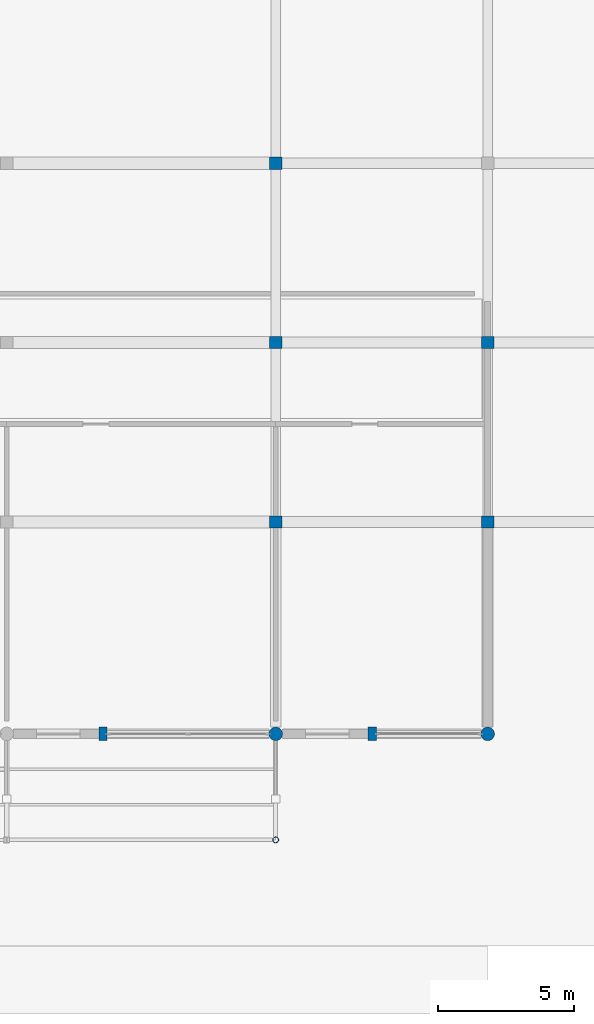
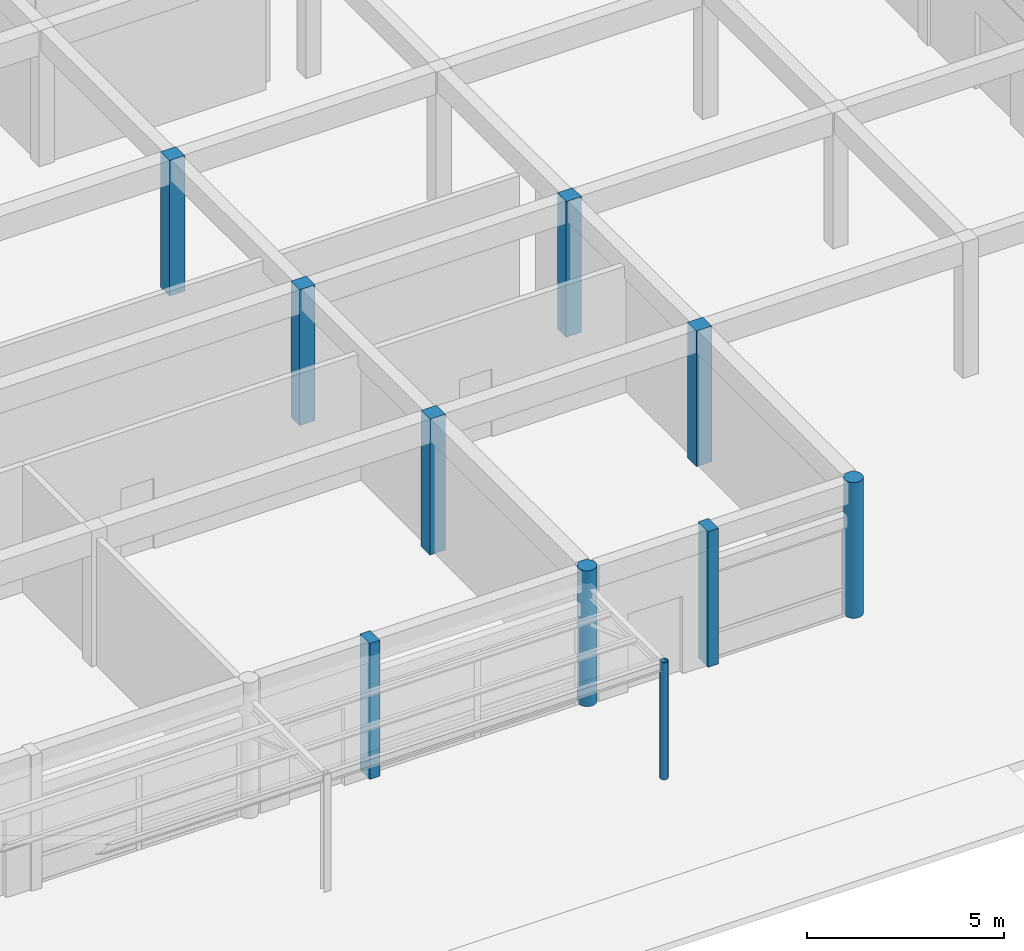
# One storey, part 5 of 75: 10 columns.
"""IFC4 building model written with IfcOpenShell, lengths in metres."""

from ifc_helpers import new_model, si_unit, direction, frame, origin, origin_2d, place, context, subcontext, project, spatial, rectangle, circle, hollow_circle, extrude, material, material_profile, profile_set, type_object, element, save


model = new_model("IFC4")

# Units and contexts
model_context = context("Model", 3, precision=1e-05, world=origin(), true_north=direction((0.0, 1.0)))
body_context = subcontext(model_context, "Body", "Model", "MODEL_VIEW")
ifc_project = project(units=[si_unit("LENGTHUNIT", "METRE"), si_unit("AREAUNIT", "SQUARE_METRE"), si_unit("VOLUMEUNIT", "CUBIC_METRE"), si_unit("PLANEANGLEUNIT", "RADIAN"), si_unit("MASSUNIT", "GRAM", prefix="KILO")], contexts=[model_context])

# Site, building, storey
site_placement = place(None, origin())
site = spatial("IfcSite", under=ifc_project, at=site_placement, CompositionType="ELEMENT")
building_placement = place(site_placement, origin())
building = spatial("IfcBuilding", under=site, at=building_placement, Name="Kernevlak Ridge Housing Community", CompositionType="ELEMENT")
storey_placement = place(building_placement, origin())
storey = spatial("IfcBuildingStorey", under=building, at=storey_placement, Name="L00", CompositionType="ELEMENT", Elevation=0.0)

# Columns
ifc_material_1 = material(Name="Concrete C35/45", Category="concrete")
ifc_material_profile_1 = material_profile(ifc_material_1, rectangle(XDim=0.449951171875, YDim=0.449951171875, at=origin_2d()), Name="RC 450x450")
ifc_profile_set_1 = profile_set([ifc_material_profile_1], Name="Concrete C35/45")
column_type_1 = type_object("IfcColumnType", Name="C-04", PredefinedType="COLUMN", material=ifc_profile_set_1)
for number, where, z_axis, x_axis, name in (
    (1, (103.800048828125, 15.60009765625, 0.0), (0.0, 0.0, 1.0), (1.0, 0.0, 0.0), "Column C-04 COL-POD-L00-179"),
    (2, (103.800048828125, 22.199951171875, 0.0), (0.0, 0.0, 1.0), (1.0, 0.0, 0.0), "Column C-04 COL-POD-L00-180"),
    (3, (103.800048828125, 28.800048828125, 0.0), (0.0, 0.0, 1.0), (1.0, 0.0, 0.0), "Column C-04 COL-POD-L00-181"),
    (4, (111.60009765625, 15.60009765625, 0.0), (0.0, 0.0, 1.0), (1.0, 0.0, 0.0), "Column C-04 COL-POD-L00-196"),
    (5, (111.60009765625, 22.199951171875, 0.0), (0.0, 0.0, 1.0), (1.0, 0.0, 0.0), "Column C-04 COL-POD-L00-197"),
):
    element("IfcColumn", number, at=place(storey_placement, frame(where, z_axis=z_axis, x_axis=x_axis)), inside=storey, type_object=column_type_1, Name=name, PredefinedType="COLUMN", context=body_context, shape_type="SweptSolid", body=[
        extrude(rectangle(XDim=0.449951171875, YDim=0.449951171875, at=origin_2d()), origin(), (0.0, 0.0, 1.0), 4.199951171875),
    ])
ifc_material_profile_2 = material_profile(ifc_material_1, circle(Radius=0.25, at=origin_2d()), Name="RC D500")
ifc_profile_set_2 = profile_set([ifc_material_profile_2], Name="Concrete C35/45")
column_type_2 = type_object("IfcColumnType", Name="C-10", PredefinedType="COLUMN", material=ifc_profile_set_2)
for number, where, z_axis, x_axis, name in (
    (6, (103.800048828125, 7.800048828125, 0.0), (0.0, 0.0, 1.0), (1.0, 0.0, 0.0), "Column C-10 COL-POD-L00-178"),
    (7, (111.60009765625, 7.800048828125, 0.0), (0.0, 0.0, 1.0), (1.0, 0.0, 0.0), "Column C-10 COL-POD-L00-195"),
):
    element("IfcColumn", number, at=place(storey_placement, frame(where, z_axis=z_axis, x_axis=x_axis)), inside=storey, type_object=column_type_2, Name=name, PredefinedType="COLUMN", context=body_context, shape_type="SweptSolid", body=[
        extrude(circle(Radius=0.25, at=origin_2d()), origin(), (0.0, 0.0, 1.0), 4.199951171875),
    ])
ifc_material_profile_3 = material_profile(ifc_material_1, rectangle(XDim=0.300048828125, YDim=0.5, at=origin_2d()), Name="RC 300x500")
ifc_profile_set_3 = profile_set([ifc_material_profile_3], Name="Concrete C35/45")
column_type_3 = type_object("IfcColumnType", Name="C-11", PredefinedType="PILASTER", material=ifc_profile_set_3)
for number, where, z_axis, x_axis, name in (
    (8, (97.449951171875, 7.800048828125, 0.0), (0.0, 0.0, 1.0), (1.0, 0.0, 0.0), "Column C-11 COL-PIL-L00-04"),
    (9, (107.35009765625, 7.800048828125, 0.0), (0.0, 0.0, 1.0), (1.0, 0.0, 0.0), "Column C-11 COL-PIL-L00-05"),
):
    element("IfcColumn", number, at=place(storey_placement, frame(where, z_axis=z_axis, x_axis=x_axis)), inside=storey, type_object=column_type_3, Name=name, PredefinedType="PILASTER", context=body_context, shape_type="SweptSolid", body=[
        extrude(rectangle(XDim=0.300048828125, YDim=0.5, at=origin_2d()), origin(), (0.0, 0.0, 1.0), 4.199951171875),
    ])
ifc_material_2 = material(Name="Steel S355", Category="steel")
ifc_material_profile_4 = material_profile(ifc_material_2, hollow_circle(Radius=0.109619140625, WallThickness=0.010009765625, at=origin_2d()), Name="CHS 219.1x10")
ifc_profile_set_4 = profile_set([ifc_material_profile_4], Name="Steel S355")
column_type_4 = type_object("IfcColumnType", Name="SC-06", PredefinedType="COLUMN", material=ifc_profile_set_4)
column_placement = place(storey_placement, frame((103.800048828125, 3.89990234375, 0.0), z_axis=(0.0, 0.0, 1.0), x_axis=(1.0, 0.0, 0.0)))
element("IfcColumn", 10, at=column_placement, inside=storey, type_object=column_type_4, Name="Column SC-06 COL-CAN-L00-04", PredefinedType="COLUMN", context=body_context, shape_type="SweptSolid", body=[
    extrude(hollow_circle(Radius=0.109619140625, WallThickness=0.010009765625, at=origin_2d()), origin(), (0.0, 0.0, 1.0), 3.6201171875),
])

save(model, "model.ifc")
